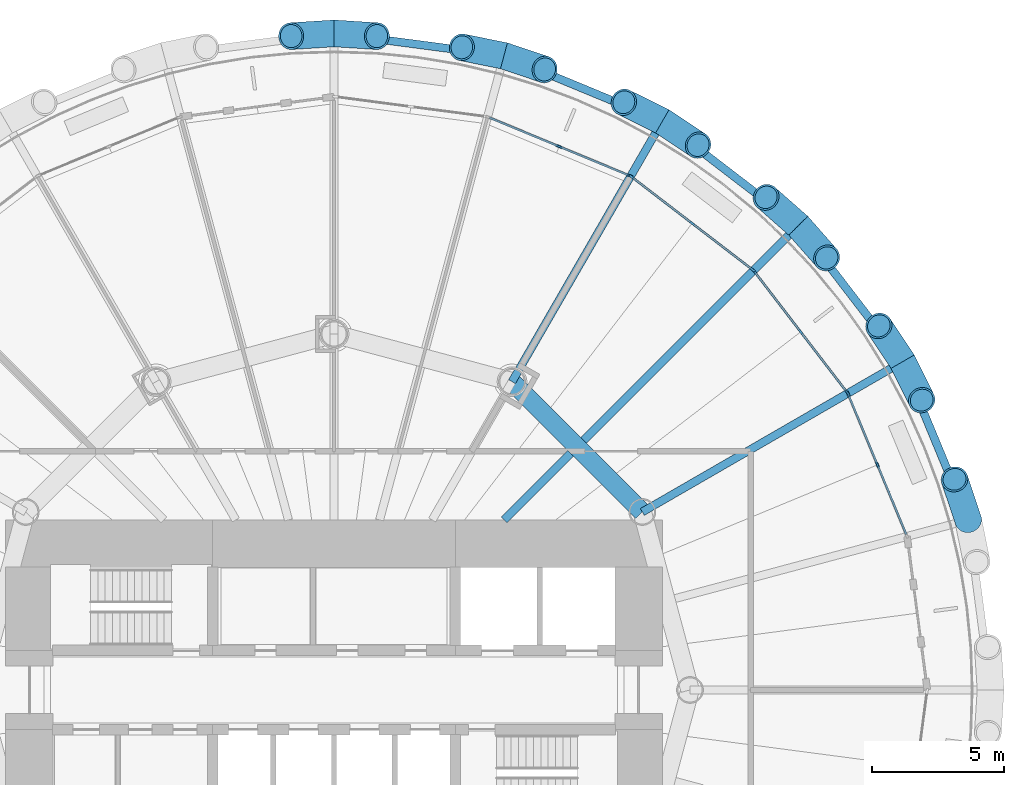
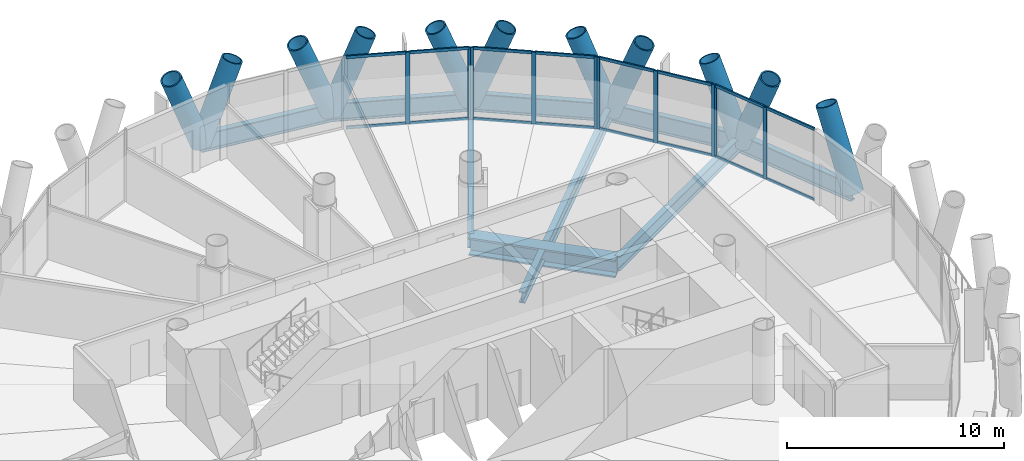
# One storey, part 6 of 15: 37 members, 10 beams, 4 elements without a shape of their own.
"""IFC4 building model written with IfcOpenShell, lengths in metres."""

from ifc_helpers import new_model, si_unit, direction, frame, origin, origin_2d, place, context, subcontext, project, spatial, rectangle, hollow_circle, i_section, extrude, material, material_profile, profile_set, type_object, element, aggregate, save


model = new_model("IFC4")

# Units and contexts
model_context = context("Model", 3, precision=1e-05, world=origin(), true_north=direction((0.0, 1.0)))
body_context = subcontext(model_context, "Body", "Model", "MODEL_VIEW")
ifc_project = project(units=[si_unit("LENGTHUNIT", "METRE"), si_unit("AREAUNIT", "SQUARE_METRE"), si_unit("VOLUMEUNIT", "CUBIC_METRE"), si_unit("PLANEANGLEUNIT", "RADIAN"), si_unit("MASSUNIT", "GRAM", prefix="KILO")], contexts=[model_context])

# Site, building, storey
site_placement = place(None, origin())
site = spatial("IfcSite", under=ifc_project, at=site_placement, CompositionType="ELEMENT")
building_placement = place(site_placement, origin())
building = spatial("IfcBuilding", under=site, at=building_placement, Name="Qaws Media Tower", CompositionType="ELEMENT")
storey_placement = place(building_placement, frame((0.0, 0.0, 143.60009765625)))
storey = spatial("IfcBuildingStorey", under=building, at=storey_placement, Name="L32", CompositionType="ELEMENT", Elevation=143.60009765625)

# Curtain wall, members
ifc_material_1 = material(Name="Aluminium and clear glass", Category="aluminium")
curtain_wall_type = type_object("IfcCurtainWallType", Name="Unitised curtain wall CW-B", PredefinedType="NOTDEFINED", material=ifc_material_1)
curtain_wall_1_placement = place(storey_placement, origin())
curtain_wall_1 = element("IfcCurtainWall", 1, at=curtain_wall_1_placement, inside=storey, type_object=curtain_wall_type, Name="CWB curtain wall L32-02", PredefinedType="NOTDEFINED")
ifc_material_2 = material(Name="Aluminium mullion", Category="aluminium")
ifc_material_profile_1 = material_profile(ifc_material_2, rectangle(XDim=0.080078125, YDim=0.199951171875, at=origin_2d()), Name="80x200")
ifc_profile_set_1 = profile_set([ifc_material_profile_1], Name="Aluminium mullion")
member_type_1 = type_object("IfcMemberType", Name="Curtain wall mullion 80x200", PredefinedType="MULLION", material=ifc_profile_set_1)
member_1_placement = place(storey_placement, frame((80.609375, 58.53662109375, 0.0), z_axis=(0.0, 0.0, 1.0), x_axis=(-0.923879550892, -0.38268338799, 0.0)))
member_1 = element("IfcMember", 2, at=member_1_placement, type_object=member_type_1, Name="CWB mullion 2", PredefinedType="MULLION", context=body_context, shape_type="SweptSolid", body=[
    extrude(rectangle(XDim=0.080078125, YDim=0.199951171875, at=origin_2d()), origin(), (0.0, 0.0, 1.0), 4.039794921875),
])
member_2_placement = place(storey_placement, frame((79.5009765625, 61.213134765625, 0.0), z_axis=(0.0, 0.0, 1.0), x_axis=(-0.923879550892, -0.38268338799, 0.0)))
member_2 = element("IfcMember", 3, at=member_2_placement, type_object=member_type_1, Name="CWB mullion 3", PredefinedType="MULLION", context=body_context, shape_type="SweptSolid", body=[
    extrude(rectangle(XDim=0.080078125, YDim=0.199951171875, at=origin_2d()), origin(), (0.0, 0.0, 1.0), 4.039794921875),
])

curtain_wall_2_placement = place(storey_placement, origin())
curtain_wall_2 = element("IfcCurtainWall", 4, at=curtain_wall_2_placement, inside=storey, type_object=curtain_wall_type, Name="CWB curtain wall L32-03", PredefinedType="NOTDEFINED")
member_3_placement = place(storey_placement, frame((79.461181640625, 61.28173828125, 0.0), z_axis=(0.0, 0.0, 1.0), x_axis=(-0.793353367693, -0.608761393298, 0.0)))
member_3 = element("IfcMember", 5, at=member_3_placement, type_object=member_type_1, Name="CWB mullion 1", PredefinedType="MULLION", context=body_context, shape_type="SweptSolid", body=[
    extrude(rectangle(XDim=0.080078125, YDim=0.199951171875, at=origin_2d()), origin(), (0.0, 0.0, 1.0), 4.039794921875),
])
member_4_placement = place(storey_placement, frame((77.69775390625, 63.579833984375, 0.0), z_axis=(0.0, 0.0, 1.0), x_axis=(-0.793353367693, -0.608761393298, 0.0)))
member_4 = element("IfcMember", 6, at=member_4_placement, type_object=member_type_1, Name="CWB mullion 2", PredefinedType="MULLION", context=body_context, shape_type="SweptSolid", body=[
    extrude(rectangle(XDim=0.080078125, YDim=0.199951171875, at=origin_2d()), origin(), (0.0, 0.0, 1.0), 4.039794921875),
])
member_5_placement = place(storey_placement, frame((75.934326171875, 65.878173828125, 0.0), z_axis=(0.0, 0.0, 1.0), x_axis=(-0.793353367693, -0.608761393298, 0.0)))
member_5 = element("IfcMember", 7, at=member_5_placement, type_object=member_type_1, Name="CWB mullion 3", PredefinedType="MULLION", context=body_context, shape_type="SweptSolid", body=[
    extrude(rectangle(XDim=0.080078125, YDim=0.199951171875, at=origin_2d()), origin(), (0.0, 0.0, 1.0), 4.039794921875),
])

curtain_wall_3_placement = place(storey_placement, origin())
curtain_wall_3 = element("IfcCurtainWall", 8, at=curtain_wall_3_placement, inside=storey, type_object=curtain_wall_type, Name="CWB curtain wall L32-04", PredefinedType="NOTDEFINED")
member_6_placement = place(storey_placement, frame((75.878173828125, 65.934326171875, 0.0), z_axis=(0.0, 0.0, 1.0), x_axis=(-0.608761393298, -0.793353367693, 0.0)))
member_6 = element("IfcMember", 9, at=member_6_placement, type_object=member_type_1, Name="CWB mullion 1", PredefinedType="MULLION", context=body_context, shape_type="SweptSolid", body=[
    extrude(rectangle(XDim=0.080078125, YDim=0.199951171875, at=origin_2d()), origin(), (0.0, 0.0, 1.0), 4.039794921875),
])
member_7_placement = place(storey_placement, frame((73.579833984375, 67.69775390625, 0.0), z_axis=(0.0, 0.0, 1.0), x_axis=(-0.608761393298, -0.793353367693, 0.0)))
member_7 = element("IfcMember", 10, at=member_7_placement, type_object=member_type_1, Name="CWB mullion 2", PredefinedType="MULLION", context=body_context, shape_type="SweptSolid", body=[
    extrude(rectangle(XDim=0.080078125, YDim=0.199951171875, at=origin_2d()), origin(), (0.0, 0.0, 1.0), 4.039794921875),
])
member_8_placement = place(storey_placement, frame((71.28173828125, 69.461181640625, 0.0), z_axis=(0.0, 0.0, 1.0), x_axis=(-0.608761393298, -0.793353367693, 0.0)))
member_8 = element("IfcMember", 11, at=member_8_placement, type_object=member_type_1, Name="CWB mullion 3", PredefinedType="MULLION", context=body_context, shape_type="SweptSolid", body=[
    extrude(rectangle(XDim=0.080078125, YDim=0.199951171875, at=origin_2d()), origin(), (0.0, 0.0, 1.0), 4.039794921875),
])

curtain_wall_4_placement = place(storey_placement, origin())
curtain_wall_4 = element("IfcCurtainWall", 12, at=curtain_wall_4_placement, inside=storey, type_object=curtain_wall_type, Name="CWB curtain wall L32-05", PredefinedType="NOTDEFINED")
member_9_placement = place(storey_placement, frame((71.213134765625, 69.5009765625, 0.0), z_axis=(0.0, 0.0, 1.0), x_axis=(-0.38268338799, -0.923879550892, 0.0)))
member_9 = element("IfcMember", 13, at=member_9_placement, type_object=member_type_1, Name="CWB mullion 1", PredefinedType="MULLION", context=body_context, shape_type="SweptSolid", body=[
    extrude(rectangle(XDim=0.080078125, YDim=0.199951171875, at=origin_2d()), origin(), (0.0, 0.0, 1.0), 4.039794921875),
])
member_10_placement = place(storey_placement, frame((68.53662109375, 70.609375, 0.0), z_axis=(0.0, 0.0, 1.0), x_axis=(-0.38268338799, -0.923879550892, 0.0)))
member_10 = element("IfcMember", 14, at=member_10_placement, type_object=member_type_1, Name="CWB mullion 2", PredefinedType="MULLION", context=body_context, shape_type="SweptSolid", body=[
    extrude(rectangle(XDim=0.080078125, YDim=0.199951171875, at=origin_2d()), origin(), (0.0, 0.0, 1.0), 4.039794921875),
])

# Member
ifc_material_3 = material(Name="Aluminium transom", Category="aluminium")
ifc_material_profile_2 = material_profile(ifc_material_3, rectangle(XDim=0.080078125, YDim=0.159912109375, at=origin_2d()), Name="80x160")
ifc_profile_set_2 = profile_set([ifc_material_profile_2], Name="Aluminium transom")
member_type_2 = type_object("IfcMemberType", Name="Curtain wall transom 80x160", PredefinedType="USERDEFINED", material=ifc_profile_set_2)
member_11_placement = place(storey_placement, frame((81.70263671875, 55.8974609375, 0.039794921875), z_axis=(-0.382675859369, 0.923882669313, 0.0), x_axis=(-0.923882669313, -0.382675859369, 0.0)))
member_11 = element("IfcMember", 15, at=member_11_placement, type_object=member_type_2, Name="CWB transom 1.1", ObjectType="TRANSOM", PredefinedType="USERDEFINED", context=body_context, shape_type="SweptSolid", body=[
    extrude(rectangle(XDim=0.080078125, YDim=0.159912109375, at=origin_2d()), origin(), (0.0, 0.0, 1.0), 2.816650390625),
])

member_12_placement = place(storey_placement, frame((81.70263671875, 55.8974609375, 4.0), z_axis=(-0.382675859369, 0.923882669313, 0.0), x_axis=(-0.923882669313, -0.382675859369, 0.0)))
member_12 = element("IfcMember", 16, at=member_12_placement, type_object=member_type_2, Name="CWB transom 1.2", ObjectType="TRANSOM", PredefinedType="USERDEFINED", context=body_context, shape_type="SweptSolid", body=[
    extrude(rectangle(XDim=0.080078125, YDim=0.159912109375, at=origin_2d()), origin(), (0.0, 0.0, 1.0), 2.816650390625),
])

member_13_placement = place(storey_placement, frame((80.59423828125, 58.57373046875, 0.039794921875), z_axis=(-0.382749839039, 0.92385202317, 0.0), x_axis=(-0.92385202317, -0.382749839039, 0.0)))
member_13 = element("IfcMember", 17, at=member_13_placement, type_object=member_type_2, Name="CWB transom 2.1", ObjectType="TRANSOM", PredefinedType="USERDEFINED", context=body_context, shape_type="SweptSolid", body=[
    extrude(rectangle(XDim=0.080078125, YDim=0.159912109375, at=origin_2d()), origin(), (0.0, 0.0, 1.0), 2.81689453125),
])

member_14_placement = place(storey_placement, frame((80.59423828125, 58.57373046875, 4.0), z_axis=(-0.382749839039, 0.92385202317, 0.0), x_axis=(-0.92385202317, -0.382749839039, 0.0)))
member_14 = element("IfcMember", 18, at=member_14_placement, type_object=member_type_2, Name="CWB transom 2.2", ObjectType="TRANSOM", PredefinedType="USERDEFINED", context=body_context, shape_type="SweptSolid", body=[
    extrude(rectangle(XDim=0.080078125, YDim=0.159912109375, at=origin_2d()), origin(), (0.0, 0.0, 1.0), 2.81689453125),
])

aggregate(curtain_wall_1, [member_1, member_2, member_11, member_12, member_13, member_14])

member_15_placement = place(storey_placement, frame((79.436767578125, 61.3134765625, 0.039794921875), z_axis=(-0.608742665806, 0.793367737451, 0.0), x_axis=(-0.793367737451, -0.608742665806, 0.0)))
member_15 = element("IfcMember", 19, at=member_15_placement, type_object=member_type_2, Name="CWB transom 1.1", ObjectType="TRANSOM", PredefinedType="USERDEFINED", context=body_context, shape_type="SweptSolid", body=[
    extrude(rectangle(XDim=0.080078125, YDim=0.159912109375, at=origin_2d()), origin(), (0.0, 0.0, 1.0), 2.816650390625),
])

member_16_placement = place(storey_placement, frame((79.436767578125, 61.3134765625, 4.0), z_axis=(-0.608742665806, 0.793367737451, 0.0), x_axis=(-0.793367737451, -0.608742665806, 0.0)))
member_16 = element("IfcMember", 20, at=member_16_placement, type_object=member_type_2, Name="CWB transom 1.2", ObjectType="TRANSOM", PredefinedType="USERDEFINED", context=body_context, shape_type="SweptSolid", body=[
    extrude(rectangle(XDim=0.080078125, YDim=0.159912109375, at=origin_2d()), origin(), (0.0, 0.0, 1.0), 2.816650390625),
])

member_17_placement = place(storey_placement, frame((77.67333984375, 63.611572265625, 0.039794921875), z_axis=(-0.608755360459, 0.793357996817, 0.0), x_axis=(-0.793357996817, -0.608755360459, 0.0)))
member_17 = element("IfcMember", 21, at=member_17_placement, type_object=member_type_2, Name="CWB transom 2.1", ObjectType="TRANSOM", PredefinedType="USERDEFINED", context=body_context, shape_type="SweptSolid", body=[
    extrude(rectangle(XDim=0.080078125, YDim=0.159912109375, at=origin_2d()), origin(), (0.0, 0.0, 1.0), 2.81689453125),
])

member_18_placement = place(storey_placement, frame((77.67333984375, 63.611572265625, 4.0), z_axis=(-0.608755360459, 0.793357996817, 0.0), x_axis=(-0.793357996817, -0.608755360459, 0.0)))
member_18 = element("IfcMember", 22, at=member_18_placement, type_object=member_type_2, Name="CWB transom 2.2", ObjectType="TRANSOM", PredefinedType="USERDEFINED", context=body_context, shape_type="SweptSolid", body=[
    extrude(rectangle(XDim=0.080078125, YDim=0.159912109375, at=origin_2d()), origin(), (0.0, 0.0, 1.0), 2.81689453125),
])

aggregate(curtain_wall_2, [member_3, member_4, member_5, member_15, member_16, member_17, member_18])

member_19_placement = place(storey_placement, frame((75.846435546875, 65.95849609375, 0.039794921875), z_axis=(-0.793357996817, 0.608755360459, 0.0), x_axis=(-0.608755360459, -0.793357996817, 0.0)))
member_19 = element("IfcMember", 23, at=member_19_placement, type_object=member_type_2, Name="CWB transom 1.1", ObjectType="TRANSOM", PredefinedType="USERDEFINED", context=body_context, shape_type="SweptSolid", body=[
    extrude(rectangle(XDim=0.080078125, YDim=0.159912109375, at=origin_2d()), origin(), (0.0, 0.0, 1.0), 2.81689453125),
])

member_20_placement = place(storey_placement, frame((75.846435546875, 65.95849609375, 4.0), z_axis=(-0.793357996817, 0.608755360459, 0.0), x_axis=(-0.608755360459, -0.793357996817, 0.0)))
member_20 = element("IfcMember", 24, at=member_20_placement, type_object=member_type_2, Name="CWB transom 1.2", ObjectType="TRANSOM", PredefinedType="USERDEFINED", context=body_context, shape_type="SweptSolid", body=[
    extrude(rectangle(XDim=0.080078125, YDim=0.159912109375, at=origin_2d()), origin(), (0.0, 0.0, 1.0), 2.81689453125),
])

member_21_placement = place(storey_placement, frame((73.548095703125, 67.72216796875, 0.039794921875), z_axis=(-0.793367737451, 0.608742665806, 0.0), x_axis=(-0.608742665806, -0.793367737451, 0.0)))
member_21 = element("IfcMember", 25, at=member_21_placement, type_object=member_type_2, Name="CWB transom 2.1", ObjectType="TRANSOM", PredefinedType="USERDEFINED", context=body_context, shape_type="SweptSolid", body=[
    extrude(rectangle(XDim=0.080078125, YDim=0.159912109375, at=origin_2d()), origin(), (0.0, 0.0, 1.0), 2.816650390625),
])

member_22_placement = place(storey_placement, frame((73.548095703125, 67.72216796875, 4.0), z_axis=(-0.793367737451, 0.608742665806, 0.0), x_axis=(-0.608742665806, -0.793367737451, 0.0)))
member_22 = element("IfcMember", 26, at=member_22_placement, type_object=member_type_2, Name="CWB transom 2.2", ObjectType="TRANSOM", PredefinedType="USERDEFINED", context=body_context, shape_type="SweptSolid", body=[
    extrude(rectangle(XDim=0.080078125, YDim=0.159912109375, at=origin_2d()), origin(), (0.0, 0.0, 1.0), 2.816650390625),
])

aggregate(curtain_wall_3, [member_6, member_7, member_8, member_19, member_20, member_21, member_22])

member_23_placement = place(storey_placement, frame((71.176025390625, 69.51611328125, 0.039794921875), z_axis=(-0.92385202317, 0.382749839039, 0.0), x_axis=(-0.382749839039, -0.92385202317, 0.0)))
member_23 = element("IfcMember", 27, at=member_23_placement, type_object=member_type_2, Name="CWB transom 1.1", ObjectType="TRANSOM", PredefinedType="USERDEFINED", context=body_context, shape_type="SweptSolid", body=[
    extrude(rectangle(XDim=0.080078125, YDim=0.159912109375, at=origin_2d()), origin(), (0.0, 0.0, 1.0), 2.81689453125),
])

member_24_placement = place(storey_placement, frame((71.176025390625, 69.51611328125, 4.0), z_axis=(-0.92385202317, 0.382749839039, 0.0), x_axis=(-0.382749839039, -0.92385202317, 0.0)))
member_24 = element("IfcMember", 28, at=member_24_placement, type_object=member_type_2, Name="CWB transom 1.2", ObjectType="TRANSOM", PredefinedType="USERDEFINED", context=body_context, shape_type="SweptSolid", body=[
    extrude(rectangle(XDim=0.080078125, YDim=0.159912109375, at=origin_2d()), origin(), (0.0, 0.0, 1.0), 2.81689453125),
])

member_25_placement = place(storey_placement, frame((68.499755859375, 70.624755859375, 0.039794921875), z_axis=(-0.923882669313, 0.382675859369, 0.0), x_axis=(-0.382675859369, -0.923882669313, 0.0)))
member_25 = element("IfcMember", 29, at=member_25_placement, type_object=member_type_2, Name="CWB transom 2.1", ObjectType="TRANSOM", PredefinedType="USERDEFINED", context=body_context, shape_type="SweptSolid", body=[
    extrude(rectangle(XDim=0.080078125, YDim=0.159912109375, at=origin_2d()), origin(), (0.0, 0.0, 1.0), 2.816650390625),
])

member_26_placement = place(storey_placement, frame((68.499755859375, 70.624755859375, 4.0), z_axis=(-0.923882669313, 0.382675859369, 0.0), x_axis=(-0.382675859369, -0.923882669313, 0.0)))
member_26 = element("IfcMember", 30, at=member_26_placement, type_object=member_type_2, Name="CWB transom 2.2", ObjectType="TRANSOM", PredefinedType="USERDEFINED", context=body_context, shape_type="SweptSolid", body=[
    extrude(rectangle(XDim=0.080078125, YDim=0.159912109375, at=origin_2d()), origin(), (0.0, 0.0, 1.0), 2.816650390625),
])

aggregate(curtain_wall_4, [member_9, member_10, member_23, member_24, member_25, member_26])

# Members
ifc_material_4 = material(Name="Steel S460", Category="steel")
ifc_material_profile_3 = material_profile(ifc_material_4, hollow_circle(Radius=0.508056640625, WallThickness=0.070068359375, at=origin_2d()), Name="CHS 1016x70")
ifc_profile_set_3 = profile_set([ifc_material_profile_3], Name="Steel S460")
member_type_3 = type_object("IfcMemberType", Name="Diagrid member CHS 1016x70", PredefinedType="USERDEFINED", material=ifc_profile_set_3)
for number, where, z_axis, x_axis, name in (
    (31, (84.051513671875, 56.444580078125, -0.6640625), (-0.115495093421, 0.342583052797, 0.932361375933), (-0.947598400055, -0.319464039, 0.0), "DG3 diagrid L32 A02"),
    (32, (81.56396484375, 62.449951171875, -0.6640625), (-0.200207021213, 0.301015104444, 0.932366374101), (-0.832649483652, -0.55380035877, 0.0), "DG3 diagrid L32 A03"),
    (33, (81.56396484375, 62.449951171875, -0.6640625), (0.160588503711, -0.323886904548, 0.93236720531), (0.895921364274, 0.444212684462, 0.0), "DG3 diagrid L32 B03"),
    (34, (77.60693359375, 67.60693359375, -0.6640625), (-0.271315476105, 0.238905037689, 0.932369184065), (-0.660857681772, -0.750511242049, 0.0), "DG3 diagrid L32 A04"),
    (35, (77.60693359375, 67.60693359375, -0.6640625), (0.238905037689, -0.271315476105, 0.932369184065), (0.750511242049, 0.660857681772, 0.0), "DG3 diagrid L32 B04"),
    (36, (72.449951171875, 71.56396484375, -0.6640625), (-0.323886904548, 0.160588503711, 0.93236720531), (-0.444212684462, -0.895921364274, 0.0), "DG3 diagrid L32 A05"),
    (37, (72.449951171875, 71.56396484375, -0.6640625), (0.301015104444, -0.200207021213, 0.932366374101), (0.55380035877, 0.832649483652, 0.0), "DG3 diagrid L32 B05"),
    (38, (66.444580078125, 74.051513671875, -0.6640625), (-0.354449921381, 0.071269364926, 0.932355045493), (-0.197125006932, -0.980378361472, 0.0), "DG3 diagrid L32 A06"),
    (39, (66.444580078125, 74.051513671875, -0.6640625), (0.342583052797, -0.115495093421, 0.932361375933), (0.319464039, 0.947598400055, 0.0), "DG3 diagrid L32 B06"),
    (40, (60.0, 74.89990234375, -0.6640625), (-0.360794755945, -0.022871471685, 0.932364756876), (0.063264929554, -0.997996767875, 0.0), "DG3 diagrid L32 A07"),
    (41, (60.0, 74.89990234375, -0.6640625), (0.360794755945, -0.022871471685, 0.932364756876), (0.063264929554, 0.997996767875, 0.0), "DG3 diagrid L32 B07"),
):
    element("IfcMember", number, at=place(storey_placement, frame(where, z_axis=z_axis, x_axis=x_axis)), inside=storey, type_object=member_type_3, Name=name, ObjectType="DIAGRID", PredefinedType="USERDEFINED", context=body_context, shape_type="SweptSolid", body=[
        extrude(hollow_circle(Radius=0.508056640625, WallThickness=0.070068359375, at=origin_2d()), origin(), (0.0, 0.0, 1.0), 4.504638671875),
    ])

# Beams
ifc_material_5 = material(Name="Steel S460", Category="steel")
ifc_material_profile_4 = material_profile(ifc_material_5, i_section(OverallWidth=0.302001953125, OverallDepth=1.008056640625, WebThickness=0.02099609375, FlangeThickness=0.0400390625, FilletRadius=0.030029296875, at=origin_2d()), Name="HE 1000 M")
ifc_profile_set_4 = profile_set([ifc_material_profile_4], Name="Steel S460")
beam_type_1 = type_object("IfcBeamType", Name="Edge ring beam HE 1000 M", PredefinedType="BEAM", material=ifc_profile_set_4)
for number, where, z_axis, x_axis, name in (
    (42, (84.051513671875, 56.444580078125, -0.6640625), (-0.382689035976, 0.9238772114, 0.0), (-0.9238772114, -0.382689035976, 0.0), "RB3 edge ring beam L32-02"),
    (43, (81.56396484375, 62.449951171875, -0.6640625), (-0.608755567059, 0.793357838289, 0.0), (-0.793357838289, -0.608755567059, 0.0), "RB3 edge ring beam L32-03"),
    (44, (77.60693359375, 67.60693359375, -0.6640625), (-0.793357838289, 0.608755567059, 0.0), (-0.608755567059, -0.793357838289, 0.0), "RB3 edge ring beam L32-04"),
    (45, (72.449951171875, 71.56396484375, -0.6640625), (-0.9238772114, 0.382689035976, 0.0), (-0.382689035976, -0.9238772114, 0.0), "RB3 edge ring beam L32-05"),
    (46, (66.444580078125, 74.051513671875, -0.6640625), (-0.991445984009, 0.130517664675, 0.0), (-0.130517664675, -0.991445984009, 0.0), "RB3 edge ring beam L32-06"),
):
    element("IfcBeam", number, at=place(storey_placement, frame(where, z_axis=z_axis, x_axis=x_axis)), inside=storey, type_object=beam_type_1, Name=name, PredefinedType="BEAM", context=body_context, shape_type="SweptSolid", body=[
        extrude(i_section(OverallWidth=0.302001953125, OverallDepth=1.008056640625, WebThickness=0.02099609375, FlangeThickness=0.0400390625, FilletRadius=0.030029296875, at=origin_2d()), origin(), (0.0, 0.0, 1.0), 6.500244140625),
    ])
ifc_material_6 = material(Name="Steel S460", Category="steel")
ifc_material_profile_5 = material_profile(ifc_material_6, i_section(OverallWidth=0.699951171875, OverallDepth=1.0, WebThickness=0.034912109375, FlangeThickness=0.090087890625, at=origin_2d()), Name="PG 1000x700")
ifc_profile_set_5 = profile_set([ifc_material_profile_5], Name="Steel S460")
beam_type_2 = type_object("IfcBeamType", Name="Inner ring girder PG 1000x700", PredefinedType="BEAM", material=ifc_profile_set_5)
beam_1_placement = place(storey_placement, frame((71.69140625, 56.75, -0.66015625), z_axis=(-0.707106781187, 0.707106781187, 0.0), x_axis=(-0.707106781187, -0.707106781187, 0.0)))
element("IfcBeam", 47, at=beam_1_placement, inside=storey, type_object=beam_type_2, Name="B3 inner ring beam L32 I02-I03", PredefinedType="BEAM", context=body_context, shape_type="SweptSolid", body=[
    extrude(i_section(OverallWidth=0.699951171875, OverallDepth=1.0, WebThickness=0.034912109375, FlangeThickness=0.090087890625, at=origin_2d()), origin(), (0.0, 0.0, 1.0), 6.98828125),
])
ifc_material_7 = material(Name="Steel S355", Category="steel")
ifc_material_profile_6 = material_profile(ifc_material_7, i_section(OverallWidth=0.304931640625, OverallDepth=0.6201171875, WebThickness=0.02099609375, FlangeThickness=0.0400390625, FilletRadius=0.027099609375, at=origin_2d()), Name="HE 600 M")
ifc_profile_set_6 = profile_set([ifc_material_profile_6], Name="Steel S355")
beam_type_3 = type_object("IfcBeamType", Name="Radial beam HE 600 M, core side", PredefinedType="BEAM", material=ifc_profile_set_6)
beam_2_placement = place(storey_placement, frame((66.449951171875, 56.449951171875, -0.47021484375), z_axis=(0.707106781187, 0.707106781187, 0.0), x_axis=(-0.707106781187, 0.707106781187, 0.0)))
element("IfcBeam", 48, at=beam_2_placement, inside=storey, type_object=beam_type_3, Name="B2 radial beam L32 04", PredefinedType="BEAM", context=body_context, shape_type="SweptSolid", body=[
    extrude(i_section(OverallWidth=0.304931640625, OverallDepth=0.6201171875, WebThickness=0.02099609375, FlangeThickness=0.0400390625, FilletRadius=0.027099609375, at=origin_2d()), origin(), (0.0, 0.0, 1.0), 3.568359375),
])
ifc_material_8 = material(Name="Steel S355", Category="steel")
ifc_material_profile_7 = material_profile(ifc_material_8, i_section(OverallWidth=0.300048828125, OverallDepth=0.800048828125, WebThickness=0.017578125, FlangeThickness=0.032958984375, FilletRadius=0.030029296875, at=origin_2d()), Name="HE 800 B")
ifc_profile_set_7 = profile_set([ifc_material_profile_7], Name="Steel S355")
beam_type_4 = type_object("IfcBeamType", Name="Radial beam HE 800 B", PredefinedType="BEAM", material=ifc_profile_set_7)
beam_3_placement = place(storey_placement, frame((71.69140625, 56.75, -0.56005859375), z_axis=(0.866024385424, 0.500001763848, 0.0), x_axis=(-0.500001763848, 0.866024385424, 0.0)))
element("IfcBeam", 49, at=beam_3_placement, inside=storey, type_object=beam_type_4, Name="B1 radial beam L32 03", PredefinedType="BEAM", context=body_context, shape_type="SweptSolid", body=[
    extrude(i_section(OverallWidth=0.300048828125, OverallDepth=0.800048828125, WebThickness=0.017578125, FlangeThickness=0.032958984375, FilletRadius=0.030029296875, at=origin_2d()), origin(), (0.0, 0.0, 1.0), 11.39990234375),
])
beam_4_placement = place(storey_placement, frame((69.46826171875, 59.46826171875, -0.56005859375), z_axis=(0.707106781187, 0.707106781187, 0.0), x_axis=(-0.707106781187, 0.707106781187, 0.0)))
element("IfcBeam", 50, at=beam_4_placement, inside=storey, type_object=beam_type_4, Name="B1 radial beam L32 04", PredefinedType="BEAM", context=body_context, shape_type="SweptSolid", body=[
    extrude(i_section(OverallWidth=0.300048828125, OverallDepth=0.800048828125, WebThickness=0.017578125, FlangeThickness=0.032958984375, FilletRadius=0.030029296875, at=origin_2d()), origin(), (0.0, 0.0, 1.0), 11.509765625),
])
beam_5_placement = place(storey_placement, frame((66.75, 61.69140625, -0.56005859375), z_axis=(0.500001763848, 0.866024385424, 0.0), x_axis=(-0.866024385424, 0.500001763848, 0.0)))
element("IfcBeam", 51, at=beam_5_placement, inside=storey, type_object=beam_type_4, Name="B1 radial beam L32 05", PredefinedType="BEAM", context=body_context, shape_type="SweptSolid", body=[
    extrude(i_section(OverallWidth=0.300048828125, OverallDepth=0.800048828125, WebThickness=0.017578125, FlangeThickness=0.032958984375, FilletRadius=0.030029296875, at=origin_2d()), origin(), (0.0, 0.0, 1.0), 11.39990234375),
])

save(model, "model.ifc")
